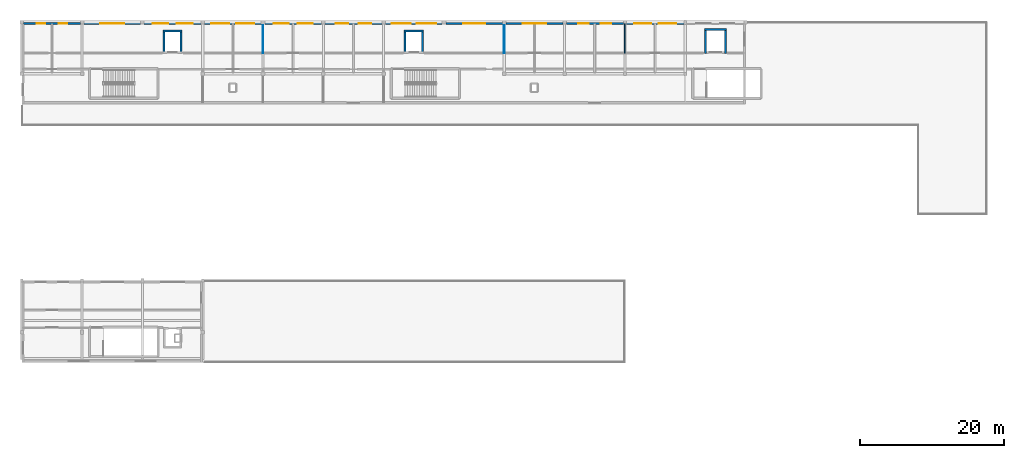
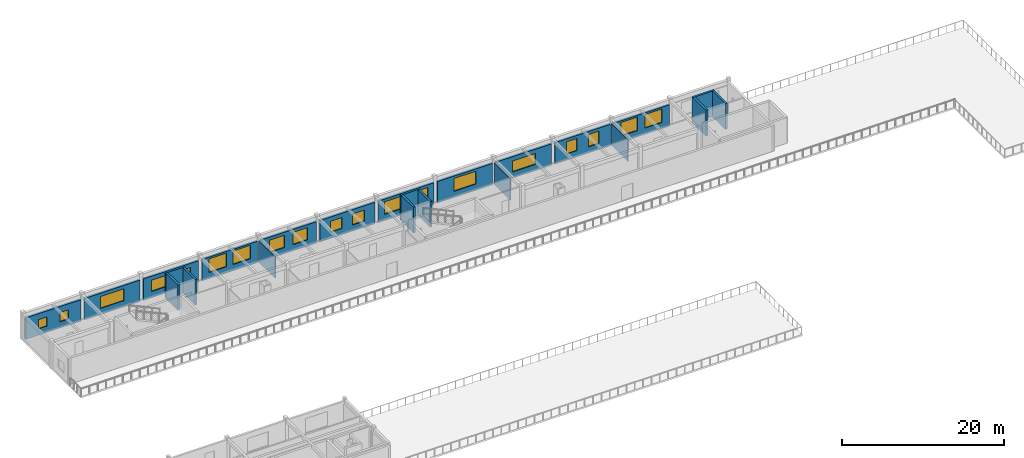
# One storey, part 8 of 14: 23 walls, 19 windows, 19 openings.
"""IFC4 building model written with IfcOpenShell, lengths in metres."""

from ifc_helpers import new_model, si_unit, direction, frame, frame_2d, origin, place, context, subcontext, project, spatial, rectangle, extrude, material, layer, layer_set, type_object, element, fill, save


model = new_model("IFC4")

# Units and contexts
model_context = context("Model", 3, precision=1e-05, world=origin(), true_north=direction((0.0, 1.0)))
body_context = subcontext(model_context, "Body", "Model", "MODEL_VIEW")
ifc_project = project(units=[si_unit("LENGTHUNIT", "METRE"), si_unit("AREAUNIT", "SQUARE_METRE"), si_unit("VOLUMEUNIT", "CUBIC_METRE"), si_unit("PLANEANGLEUNIT", "RADIAN"), si_unit("MASSUNIT", "GRAM", prefix="KILO")], contexts=[model_context])

# Site, building, storey
site_placement = place(None, origin())
site = spatial("IfcSite", under=ifc_project, at=site_placement, CompositionType="ELEMENT")
building_placement = place(site_placement, origin())
building = spatial("IfcBuilding", under=site, at=building_placement, Name="Malvenik Polytechnic", CompositionType="ELEMENT")
storey_placement = place(building_placement, frame((0.0, 0.0, 21.89990234375)))
storey = spatial("IfcBuildingStorey", under=building, at=storey_placement, Name="L05", CompositionType="ELEMENT", Elevation=21.89990234375)

# Walls
ifc_material_1 = material(Name="Concrete C35/45", Category="concrete")
ifc_layer_1 = layer(ifc_material_1, 0.280029296875)
ifc_layer_set_1 = layer_set([ifc_layer_1], Name="Concrete C35/45")
wall_type_1 = type_object("IfcWallType", Name="ARC-CW-S280", PredefinedType="SHEAR", material=ifc_layer_set_1)
wall_1_placement = place(storey_placement, frame((19.659912109375, 128.35009765625, 0.0), z_axis=(0.0, 0.0, 1.0), x_axis=(1.0, 0.0, 0.0)))
element("IfcWall", 1, at=wall_1_placement, inside=storey, type_object=wall_type_1, Name="Lift Shaft Shear Wall LS-01 L05 +Y", PredefinedType="SHEAR", context=body_context, shape_type="SweptSolid", body=[
    extrude(rectangle(XDim=2.68017578125, YDim=0.280029296875, at=frame_2d((1.340087890625, 0.0))), origin(), (0.0, 0.0, 1.0), 3.880126953125),
])
for number, where, z_axis, x_axis, name in (
    (2, (19.800048828125, 125.2099609375, 0.0), (0.0, 0.0, 1.0), (0.0, 1.0, 0.0), "Lift Shaft Shear Wall LS-01 L05 -X"),
    (3, (22.199951171875, 128.489990234375, 0.0), (0.0, 0.0, 1.0), (0.0, -1.0, 0.0), "Lift Shaft Shear Wall LS-01 L05 +X"),
):
    element("IfcWall", number, at=place(storey_placement, frame(where, z_axis=z_axis, x_axis=x_axis)), inside=storey, type_object=wall_type_1, Name=name, PredefinedType="SHEAR", context=body_context, shape_type="SweptSolid", body=[
        extrude(rectangle(XDim=3.280029296875, YDim=0.280029296875, at=frame_2d((1.64013671875, 0.0))), origin(), (0.0, 0.0, 1.0), 3.880126953125),
    ])
wall_2_placement = place(storey_placement, frame((53.260009765625, 128.35009765625, 0.0), z_axis=(0.0, 0.0, 1.0), x_axis=(1.0, 0.0, 0.0)))
element("IfcWall", 4, at=wall_2_placement, inside=storey, type_object=wall_type_1, Name="Lift Shaft Shear Wall LS-02 L05 +Y", PredefinedType="SHEAR", context=body_context, shape_type="SweptSolid", body=[
    extrude(rectangle(XDim=2.679931640625, YDim=0.280029296875, at=frame_2d((1.33984375, 0.0))), origin(), (0.0, 0.0, 1.0), 3.880126953125),
])
for number, where, z_axis, x_axis, name in (
    (5, (53.39990234375, 125.2099609375, 0.0), (0.0, 0.0, 1.0), (0.0, 1.0, 0.0), "Lift Shaft Shear Wall LS-02 L05 -X"),
    (6, (55.800048828125, 128.489990234375, 0.0), (0.0, 0.0, 1.0), (0.0, -1.0, 0.0), "Lift Shaft Shear Wall LS-02 L05 +X"),
):
    element("IfcWall", number, at=place(storey_placement, frame(where, z_axis=z_axis, x_axis=x_axis)), inside=storey, type_object=wall_type_1, Name=name, PredefinedType="SHEAR", context=body_context, shape_type="SweptSolid", body=[
        extrude(rectangle(XDim=3.280029296875, YDim=0.280029296875, at=frame_2d((1.64013671875, 0.0))), origin(), (0.0, 0.0, 1.0), 3.880126953125),
    ])
wall_3_placement = place(storey_placement, frame((95.06005859375, 128.550048828125, 0.0), z_axis=(0.0, 0.0, 1.0), x_axis=(1.0, 0.0, 0.0)))
element("IfcWall", 7, at=wall_3_placement, inside=storey, type_object=wall_type_1, Name="Lift Shaft Shear Wall LG-01 L05 +Y", PredefinedType="SHEAR", context=body_context, shape_type="SweptSolid", body=[
    extrude(rectangle(XDim=3.079833984375, YDim=0.280029296875, at=frame_2d((1.5400390625, 0.0))), origin(), (0.0, 0.0, 1.0), 3.880126953125),
])
for number, where, z_axis, x_axis, name in (
    (8, (95.199951171875, 125.2099609375, 0.0), (0.0, 0.0, 1.0), (0.0, 1.0, 0.0), "Lift Shaft Shear Wall LG-01 L05 -X"),
    (9, (98.0, 128.68994140625, 0.0), (0.0, 0.0, 1.0), (0.0, -1.0, 0.0), "Lift Shaft Shear Wall LG-01 L05 +X"),
):
    element("IfcWall", number, at=place(storey_placement, frame(where, z_axis=z_axis, x_axis=x_axis)), inside=storey, type_object=wall_type_1, Name=name, PredefinedType="SHEAR", context=body_context, shape_type="SweptSolid", body=[
        extrude(rectangle(XDim=3.47998046875, YDim=0.280029296875, at=frame_2d((1.739990234375, 0.0))), origin(), (0.0, 0.0, 1.0), 3.880126953125),
    ])

# Wall, openings, windows
ifc_material_2 = material(Name="Brick masonry M15", Category="masonry")
ifc_layer_2 = layer(ifc_material_2, 0.2900390625)
ifc_layer_set_2 = layer_set([ifc_layer_2], Name="Brick masonry M15")
wall_type_2 = type_object("IfcWallType", Name="ARC-EW-290", PredefinedType="SOLIDWALL", material=ifc_layer_set_2)
wall_4_placement = place(storey_placement, frame((0.248046875, 129.429931640625, 0.0), z_axis=(0.0, 0.0, 1.0), x_axis=(1.0, 0.0, 0.0)))
wall_4 = element("IfcWall", 10, at=wall_4_placement, inside=storey, type_object=wall_type_2, Name="External Facade Wall EW-04 L05 #469", PredefinedType="SOLIDWALL", context=body_context, shape_type="SweptSolid", body=[
    extrude(rectangle(XDim=7.904052734375, YDim=0.2900390625, at=frame_2d((3.9521484375, 0.0))), origin(), (0.0, 0.0, 1.0), 3.25),
])
opening_1_placement = place(wall_4_placement, frame((1.834716796875, 0.0, 0.949951171875)))
opening_1 = element("IfcOpeningElement", 11, at=opening_1_placement, cuts=wall_4, Name="Opening W-16", PredefinedType="OPENING", context=body_context, shape_type="SweptSolid", body=[
    extrude(rectangle(XDim=1.199951171875, YDim=1.39990234375, at=frame_2d((0.60009765625, 0.699951171875))), frame((0.0, 0.155029296875, 0.0), z_axis=(0.0, -1.0, 0.0), x_axis=(1.0, 0.0, 0.0)), (0.0, 0.0, 1.0), 0.31005859375),
])
opening_2_placement = place(wall_4_placement, frame((4.869384765625, 0.0, 0.949951171875)))
opening_2 = element("IfcOpeningElement", 12, at=opening_2_placement, cuts=wall_4, Name="Opening W-16", PredefinedType="OPENING", context=body_context, shape_type="SweptSolid", body=[
    extrude(rectangle(XDim=1.199951171875, YDim=1.39990234375, at=frame_2d((0.60009765625, 0.699951171875))), frame((0.0, 0.155029296875, 0.0), z_axis=(0.0, -1.0, 0.0), x_axis=(1.0, 0.0, 0.0)), (0.0, 0.0, 1.0), 0.31005859375),
])
ifc_material_3 = material(Name="Thermally broken aluminium frame with low-E double glazing", Category="aluminium")
window_type_1 = type_object("IfcWindowType", Name="ARC-WIN-W-16", PartitioningType="SINGLE_PANEL", PredefinedType="WINDOW", material=ifc_material_3)
window_1_placement = place(opening_1_placement, origin())
window_1 = element("IfcWindow", 13, at=window_1_placement, inside=storey, type_object=window_type_1, Name="Punched Window W-16 L05 #497", OverallHeight=1.39990234375, OverallWidth=1.199951171875, PartitioningType="SINGLE_PANEL", PredefinedType="WINDOW", context=body_context, shape_type="SweptSolid", body=[
    extrude(rectangle(XDim=1.199951171875, YDim=1.39990234375, at=frame_2d((0.60009765625, 0.699951171875))), frame((0.0, 0.030029296875, 0.0), z_axis=(0.0, -1.0, 0.0), x_axis=(1.0, 0.0, 0.0)), (0.0, 0.0, 1.0), 0.06005859375),
])
fill(opening_1, window_1)
window_2_placement = place(opening_2_placement, origin())
window_2 = element("IfcWindow", 14, at=window_2_placement, inside=storey, type_object=window_type_1, Name="Punched Window W-16 L05 #498", OverallHeight=1.39990234375, OverallWidth=1.199951171875, PartitioningType="SINGLE_PANEL", PredefinedType="WINDOW", context=body_context, shape_type="SweptSolid", body=[
    extrude(rectangle(XDim=1.199951171875, YDim=1.39990234375, at=frame_2d((0.60009765625, 0.699951171875))), frame((0.0, 0.030029296875, 0.0), z_axis=(0.0, -1.0, 0.0), x_axis=(1.0, 0.0, 0.0)), (0.0, 0.0, 1.0), 0.06005859375),
])
fill(opening_2, window_2)

# Wall, opening, window
wall_5_placement = place(storey_placement, frame((8.64794921875, 129.429931640625, 0.0), z_axis=(0.0, 0.0, 1.0), x_axis=(1.0, 0.0, 0.0)))
wall_5 = element("IfcWall", 15, at=wall_5_placement, inside=storey, type_object=wall_type_2, Name="External Facade Wall EW-04 L05 #470", PredefinedType="SOLIDWALL", context=body_context, shape_type="SweptSolid", body=[
    extrude(rectangle(XDim=7.904052734375, YDim=0.2900390625, at=frame_2d((3.9521484375, 0.0))), origin(), (0.0, 0.0, 1.0), 3.25),
])
opening_3_placement = place(wall_5_placement, frame((2.251953125, 0.0, 0.949951171875)))
opening_3 = element("IfcOpeningElement", 16, at=opening_3_placement, cuts=wall_5, Name="Opening W-18", PredefinedType="OPENING", context=body_context, shape_type="SweptSolid", body=[
    extrude(rectangle(XDim=3.39990234375, YDim=1.800048828125, at=frame_2d((1.699951171875, 0.89990234375))), frame((0.0, 0.155029296875, 0.0), z_axis=(0.0, -1.0, 0.0), x_axis=(1.0, 0.0, 0.0)), (0.0, 0.0, 1.0), 0.31005859375),
])
window_type_2 = type_object("IfcWindowType", Name="ARC-WIN-W-18", PartitioningType="SINGLE_PANEL", PredefinedType="WINDOW", material=ifc_material_3)
window_3_placement = place(opening_3_placement, origin())
window_3 = element("IfcWindow", 17, at=window_3_placement, inside=storey, type_object=window_type_2, Name="Punched Window W-18 L05 #499", OverallHeight=1.800048828125, OverallWidth=3.39990234375, PartitioningType="SINGLE_PANEL", PredefinedType="WINDOW", context=body_context, shape_type="SweptSolid", body=[
    extrude(rectangle(XDim=3.39990234375, YDim=1.800048828125, at=frame_2d((1.699951171875, 0.89990234375))), frame((0.0, 0.030029296875, 0.0), z_axis=(0.0, -1.0, 0.0), x_axis=(1.0, 0.0, 0.0)), (0.0, 0.0, 1.0), 0.06005859375),
])
fill(opening_3, window_3)

# Wall, openings, windows
wall_6_placement = place(storey_placement, frame((17.048095703125, 129.429931640625, 0.0), z_axis=(0.0, 0.0, 1.0), x_axis=(1.0, 0.0, 0.0)))
wall_6 = element("IfcWall", 18, at=wall_6_placement, inside=storey, type_object=wall_type_2, Name="External Facade Wall EW-04 L05 #471", PredefinedType="SOLIDWALL", context=body_context, shape_type="SweptSolid", body=[
    extrude(rectangle(XDim=7.90380859375, YDim=0.2900390625, at=frame_2d((3.951904296875, 0.0))), origin(), (0.0, 0.0, 1.0), 3.25),
])
opening_4_placement = place(wall_6_placement, frame((1.16796875, 0.0, 0.949951171875)))
opening_4 = element("IfcOpeningElement", 19, at=opening_4_placement, cuts=wall_6, Name="Opening W-19", PredefinedType="OPENING", context=body_context, shape_type="SweptSolid", body=[
    extrude(rectangle(XDim=2.199951171875, YDim=1.699951171875, at=frame_2d((1.10009765625, 0.85009765625))), frame((0.0, 0.155029296875, 0.0), z_axis=(0.0, -1.0, 0.0), x_axis=(1.0, 0.0, 0.0)), (0.0, 0.0, 1.0), 0.31005859375),
])
opening_5_placement = place(wall_6_placement, frame((4.535888671875, 0.0, 0.949951171875)))
opening_5 = element("IfcOpeningElement", 20, at=opening_5_placement, cuts=wall_6, Name="Opening W-19", PredefinedType="OPENING", context=body_context, shape_type="SweptSolid", body=[
    extrude(rectangle(XDim=2.199951171875, YDim=1.699951171875, at=frame_2d((1.10009765625, 0.85009765625))), frame((0.0, 0.155029296875, 0.0), z_axis=(0.0, -1.0, 0.0), x_axis=(1.0, 0.0, 0.0)), (0.0, 0.0, 1.0), 0.31005859375),
])
window_type_3 = type_object("IfcWindowType", Name="ARC-WIN-W-19", PartitioningType="SINGLE_PANEL", PredefinedType="WINDOW", material=ifc_material_3)
window_4_placement = place(opening_4_placement, origin())
window_4 = element("IfcWindow", 21, at=window_4_placement, inside=storey, type_object=window_type_3, Name="Punched Window W-19 L05 #500", OverallHeight=1.699951171875, OverallWidth=2.199951171875, PartitioningType="SINGLE_PANEL", PredefinedType="WINDOW", context=body_context, shape_type="SweptSolid", body=[
    extrude(rectangle(XDim=2.199951171875, YDim=1.699951171875, at=frame_2d((1.10009765625, 0.85009765625))), frame((0.0, 0.030029296875, 0.0), z_axis=(0.0, -1.0, 0.0), x_axis=(1.0, 0.0, 0.0)), (0.0, 0.0, 1.0), 0.06005859375),
])
fill(opening_4, window_4)
window_5_placement = place(opening_5_placement, origin())
window_5 = element("IfcWindow", 22, at=window_5_placement, inside=storey, type_object=window_type_3, Name="Punched Window W-19 L05 #501", OverallHeight=1.699951171875, OverallWidth=2.199951171875, PartitioningType="SINGLE_PANEL", PredefinedType="WINDOW", context=body_context, shape_type="SweptSolid", body=[
    extrude(rectangle(XDim=2.199951171875, YDim=1.699951171875, at=frame_2d((1.10009765625, 0.85009765625))), frame((0.0, 0.030029296875, 0.0), z_axis=(0.0, -1.0, 0.0), x_axis=(1.0, 0.0, 0.0)), (0.0, 0.0, 1.0), 0.06005859375),
])
fill(opening_5, window_5)

wall_7_placement = place(storey_placement, frame((25.447998046875, 129.429931640625, 0.0), z_axis=(0.0, 0.0, 1.0), x_axis=(1.0, 0.0, 0.0)))
wall_7 = element("IfcWall", 23, at=wall_7_placement, inside=storey, type_object=wall_type_2, Name="External Facade Wall EW-04 L05 #472", PredefinedType="SOLIDWALL", context=body_context, shape_type="SweptSolid", body=[
    extrude(rectangle(XDim=7.904052734375, YDim=0.2900390625, at=frame_2d((3.9521484375, 0.0))), origin(), (0.0, 0.0, 1.0), 3.25),
])
opening_6_placement = place(wall_7_placement, frame((0.968017578125, 0.0, 0.949951171875)))
opening_6 = element("IfcOpeningElement", 24, at=opening_6_placement, cuts=wall_7, Name="Opening W-21", PredefinedType="OPENING", context=body_context, shape_type="SweptSolid", body=[
    extrude(rectangle(XDim=2.5, YDim=2.050048828125, at=frame_2d((1.25, 1.02490234375))), frame((0.0, 0.155029296875, 0.0), z_axis=(0.0, -1.0, 0.0), x_axis=(1.0, 0.0, 0.0)), (0.0, 0.0, 1.0), 0.31005859375),
])
opening_7_placement = place(wall_7_placement, frame((4.43603515625, 0.0, 0.949951171875)))
opening_7 = element("IfcOpeningElement", 25, at=opening_7_placement, cuts=wall_7, Name="Opening W-21", PredefinedType="OPENING", context=body_context, shape_type="SweptSolid", body=[
    extrude(rectangle(XDim=2.5, YDim=2.050048828125, at=frame_2d((1.25, 1.02490234375))), frame((0.0, 0.155029296875, 0.0), z_axis=(0.0, -1.0, 0.0), x_axis=(1.0, 0.0, 0.0)), (0.0, 0.0, 1.0), 0.31005859375),
])
window_type_4 = type_object("IfcWindowType", Name="ARC-WIN-W-21", PartitioningType="SINGLE_PANEL", PredefinedType="WINDOW", material=ifc_material_3)
window_6_placement = place(opening_6_placement, origin())
window_6 = element("IfcWindow", 26, at=window_6_placement, inside=storey, type_object=window_type_4, Name="Punched Window W-21 L05 #502", OverallHeight=2.050048828125, OverallWidth=2.5, PartitioningType="SINGLE_PANEL", PredefinedType="WINDOW", context=body_context, shape_type="SweptSolid", body=[
    extrude(rectangle(XDim=2.5, YDim=2.050048828125, at=frame_2d((1.25, 1.02490234375))), frame((0.0, 0.030029296875, 0.0), z_axis=(0.0, -1.0, 0.0), x_axis=(1.0, 0.0, 0.0)), (0.0, 0.0, 1.0), 0.06005859375),
])
fill(opening_6, window_6)
window_7_placement = place(opening_7_placement, origin())
window_7 = element("IfcWindow", 27, at=window_7_placement, inside=storey, type_object=window_type_4, Name="Punched Window W-21 L05 #503", OverallHeight=2.050048828125, OverallWidth=2.5, PartitioningType="SINGLE_PANEL", PredefinedType="WINDOW", context=body_context, shape_type="SweptSolid", body=[
    extrude(rectangle(XDim=2.5, YDim=2.050048828125, at=frame_2d((1.25, 1.02490234375))), frame((0.0, 0.030029296875, 0.0), z_axis=(0.0, -1.0, 0.0), x_axis=(1.0, 0.0, 0.0)), (0.0, 0.0, 1.0), 0.06005859375),
])
fill(opening_7, window_7)

wall_8_placement = place(storey_placement, frame((33.847900390625, 129.429931640625, 0.0), z_axis=(0.0, 0.0, 1.0), x_axis=(1.0, 0.0, 0.0)))
wall_8 = element("IfcWall", 28, at=wall_8_placement, inside=storey, type_object=wall_type_2, Name="External Facade Wall EW-04 L05 #473", PredefinedType="SOLIDWALL", context=body_context, shape_type="SweptSolid", body=[
    extrude(rectangle(XDim=7.904052734375, YDim=0.2900390625, at=frame_2d((3.9521484375, 0.0))), origin(), (0.0, 0.0, 1.0), 3.25),
])
opening_8_placement = place(wall_8_placement, frame((1.234619140625, 0.0, 0.949951171875)))
opening_8 = element("IfcOpeningElement", 29, at=opening_8_placement, cuts=wall_8, Name="Opening W-23", PredefinedType="OPENING", context=body_context, shape_type="SweptSolid", body=[
    extrude(rectangle(XDim=2.10009765625, YDim=1.85009765625, at=frame_2d((1.050048828125, 0.925048828125))), frame((0.0, 0.155029296875, 0.0), z_axis=(0.0, -1.0, 0.0), x_axis=(1.0, 0.0, 0.0)), (0.0, 0.0, 1.0), 0.31005859375),
])
opening_9_placement = place(wall_8_placement, frame((4.5693359375, 0.0, 0.949951171875)))
opening_9 = element("IfcOpeningElement", 30, at=opening_9_placement, cuts=wall_8, Name="Opening W-23", PredefinedType="OPENING", context=body_context, shape_type="SweptSolid", body=[
    extrude(rectangle(XDim=2.10009765625, YDim=1.85009765625, at=frame_2d((1.050048828125, 0.925048828125))), frame((0.0, 0.155029296875, 0.0), z_axis=(0.0, -1.0, 0.0), x_axis=(1.0, 0.0, 0.0)), (0.0, 0.0, 1.0), 0.31005859375),
])
window_type_5 = type_object("IfcWindowType", Name="ARC-WIN-W-23", PartitioningType="SINGLE_PANEL", PredefinedType="WINDOW", material=ifc_material_3)
window_8_placement = place(opening_8_placement, origin())
window_8 = element("IfcWindow", 31, at=window_8_placement, inside=storey, type_object=window_type_5, Name="Punched Window W-23 L05 #504", OverallHeight=1.85009765625, OverallWidth=2.10009765625, PartitioningType="SINGLE_PANEL", PredefinedType="WINDOW", context=body_context, shape_type="SweptSolid", body=[
    extrude(rectangle(XDim=2.10009765625, YDim=1.85009765625, at=frame_2d((1.050048828125, 0.925048828125))), frame((0.0, 0.030029296875, 0.0), z_axis=(0.0, -1.0, 0.0), x_axis=(1.0, 0.0, 0.0)), (0.0, 0.0, 1.0), 0.06005859375),
])
fill(opening_8, window_8)
window_9_placement = place(opening_9_placement, origin())
window_9 = element("IfcWindow", 32, at=window_9_placement, inside=storey, type_object=window_type_5, Name="Punched Window W-23 L05 #505", OverallHeight=1.85009765625, OverallWidth=2.10009765625, PartitioningType="SINGLE_PANEL", PredefinedType="WINDOW", context=body_context, shape_type="SweptSolid", body=[
    extrude(rectangle(XDim=2.10009765625, YDim=1.85009765625, at=frame_2d((1.050048828125, 0.925048828125))), frame((0.0, 0.030029296875, 0.0), z_axis=(0.0, -1.0, 0.0), x_axis=(1.0, 0.0, 0.0)), (0.0, 0.0, 1.0), 0.06005859375),
])
fill(opening_9, window_9)

wall_9_placement = place(storey_placement, frame((42.248046875, 129.429931640625, 0.0), z_axis=(0.0, 0.0, 1.0), x_axis=(1.0, 0.0, 0.0)))
wall_9 = element("IfcWall", 33, at=wall_9_placement, inside=storey, type_object=wall_type_2, Name="External Facade Wall EW-04 L05 #474", PredefinedType="SOLIDWALL", context=body_context, shape_type="SweptSolid", body=[
    extrude(rectangle(XDim=7.904052734375, YDim=0.2900390625, at=frame_2d((3.9521484375, 0.0))), origin(), (0.0, 0.0, 1.0), 3.25),
])
opening_10_placement = place(wall_9_placement, frame((1.501220703125, 0.0, 0.949951171875)))
opening_10 = element("IfcOpeningElement", 34, at=opening_10_placement, cuts=wall_9, Name="Opening W-25", PredefinedType="OPENING", context=body_context, shape_type="SweptSolid", body=[
    extrude(rectangle(XDim=1.699951171875, YDim=1.64990234375, at=frame_2d((0.85009765625, 0.824951171875))), frame((0.0, 0.155029296875, 0.0), z_axis=(0.0, -1.0, 0.0), x_axis=(1.0, 0.0, 0.0)), (0.0, 0.0, 1.0), 0.31005859375),
])
opening_11_placement = place(wall_9_placement, frame((4.70263671875, 0.0, 0.949951171875)))
opening_11 = element("IfcOpeningElement", 35, at=opening_11_placement, cuts=wall_9, Name="Opening W-25", PredefinedType="OPENING", context=body_context, shape_type="SweptSolid", body=[
    extrude(rectangle(XDim=1.699951171875, YDim=1.64990234375, at=frame_2d((0.85009765625, 0.824951171875))), frame((0.0, 0.155029296875, 0.0), z_axis=(0.0, -1.0, 0.0), x_axis=(1.0, 0.0, 0.0)), (0.0, 0.0, 1.0), 0.31005859375),
])
window_type_6 = type_object("IfcWindowType", Name="ARC-WIN-W-25", PartitioningType="SINGLE_PANEL", PredefinedType="WINDOW", material=ifc_material_3)
window_10_placement = place(opening_10_placement, origin())
window_10 = element("IfcWindow", 36, at=window_10_placement, inside=storey, type_object=window_type_6, Name="Punched Window W-25 L05 #506", OverallHeight=1.64990234375, OverallWidth=1.699951171875, PartitioningType="SINGLE_PANEL", PredefinedType="WINDOW", context=body_context, shape_type="SweptSolid", body=[
    extrude(rectangle(XDim=1.699951171875, YDim=1.64990234375, at=frame_2d((0.85009765625, 0.824951171875))), frame((0.0, 0.030029296875, 0.0), z_axis=(0.0, -1.0, 0.0), x_axis=(1.0, 0.0, 0.0)), (0.0, 0.0, 1.0), 0.06005859375),
])
fill(opening_10, window_10)
window_11_placement = place(opening_11_placement, origin())
window_11 = element("IfcWindow", 37, at=window_11_placement, inside=storey, type_object=window_type_6, Name="Punched Window W-25 L05 #507", OverallHeight=1.64990234375, OverallWidth=1.699951171875, PartitioningType="SINGLE_PANEL", PredefinedType="WINDOW", context=body_context, shape_type="SweptSolid", body=[
    extrude(rectangle(XDim=1.699951171875, YDim=1.64990234375, at=frame_2d((0.85009765625, 0.824951171875))), frame((0.0, 0.030029296875, 0.0), z_axis=(0.0, -1.0, 0.0), x_axis=(1.0, 0.0, 0.0)), (0.0, 0.0, 1.0), 0.06005859375),
])
fill(opening_11, window_11)

wall_10_placement = place(storey_placement, frame((50.64794921875, 129.429931640625, 0.0), z_axis=(0.0, 0.0, 1.0), x_axis=(1.0, 0.0, 0.0)))
wall_10 = element("IfcWall", 38, at=wall_10_placement, inside=storey, type_object=wall_type_2, Name="External Facade Wall EW-04 L05 #475", PredefinedType="SOLIDWALL", context=body_context, shape_type="SweptSolid", body=[
    extrude(rectangle(XDim=7.904052734375, YDim=0.2900390625, at=frame_2d((3.9521484375, 0.0))), origin(), (0.0, 0.0, 1.0), 3.25),
])
opening_12_placement = place(wall_10_placement, frame((0.85009765625, 0.0, 0.949951171875)))
opening_12 = element("IfcOpeningElement", 39, at=opening_12_placement, cuts=wall_10, Name="Opening W-27", PredefinedType="OPENING", context=body_context, shape_type="SweptSolid", body=[
    extrude(rectangle(XDim=2.699951171875, YDim=1.89990234375, at=frame_2d((1.35009765625, 0.949951171875))), frame((0.0, 0.155029296875, 0.0), z_axis=(0.0, -1.0, 0.0), x_axis=(1.0, 0.0, 0.0)), (0.0, 0.0, 1.0), 0.31005859375),
])
opening_13_placement = place(wall_10_placement, frame((4.35400390625, 0.0, 0.949951171875)))
opening_13 = element("IfcOpeningElement", 40, at=opening_13_placement, cuts=wall_10, Name="Opening W-27", PredefinedType="OPENING", context=body_context, shape_type="SweptSolid", body=[
    extrude(rectangle(XDim=2.699951171875, YDim=1.89990234375, at=frame_2d((1.35009765625, 0.949951171875))), frame((0.0, 0.155029296875, 0.0), z_axis=(0.0, -1.0, 0.0), x_axis=(1.0, 0.0, 0.0)), (0.0, 0.0, 1.0), 0.31005859375),
])
window_type_7 = type_object("IfcWindowType", Name="ARC-WIN-W-27", PartitioningType="SINGLE_PANEL", PredefinedType="WINDOW", material=ifc_material_3)
window_12_placement = place(opening_12_placement, origin())
window_12 = element("IfcWindow", 41, at=window_12_placement, inside=storey, type_object=window_type_7, Name="Punched Window W-27 L05 #508", OverallHeight=1.89990234375, OverallWidth=2.699951171875, PartitioningType="SINGLE_PANEL", PredefinedType="WINDOW", context=body_context, shape_type="SweptSolid", body=[
    extrude(rectangle(XDim=2.699951171875, YDim=1.89990234375, at=frame_2d((1.35009765625, 0.949951171875))), frame((0.0, 0.030029296875, 0.0), z_axis=(0.0, -1.0, 0.0), x_axis=(1.0, 0.0, 0.0)), (0.0, 0.0, 1.0), 0.06005859375),
])
fill(opening_12, window_12)
window_13_placement = place(opening_13_placement, origin())
window_13 = element("IfcWindow", 42, at=window_13_placement, inside=storey, type_object=window_type_7, Name="Punched Window W-27 L05 #509", OverallHeight=1.89990234375, OverallWidth=2.699951171875, PartitioningType="SINGLE_PANEL", PredefinedType="WINDOW", context=body_context, shape_type="SweptSolid", body=[
    extrude(rectangle(XDim=2.699951171875, YDim=1.89990234375, at=frame_2d((1.35009765625, 0.949951171875))), frame((0.0, 0.030029296875, 0.0), z_axis=(0.0, -1.0, 0.0), x_axis=(1.0, 0.0, 0.0)), (0.0, 0.0, 1.0), 0.06005859375),
])
fill(opening_13, window_13)

# Wall, opening, window
wall_11_placement = place(storey_placement, frame((59.048095703125, 129.429931640625, 0.0), z_axis=(0.0, 0.0, 1.0), x_axis=(1.0, 0.0, 0.0)))
wall_11 = element("IfcWall", 43, at=wall_11_placement, inside=storey, type_object=wall_type_2, Name="External Facade Wall EW-04 L05 #476", PredefinedType="SOLIDWALL", context=body_context, shape_type="SweptSolid", body=[
    extrude(rectangle(XDim=7.90380859375, YDim=0.2900390625, at=frame_2d((3.951904296875, 0.0))), origin(), (0.0, 0.0, 1.0), 3.25),
])
opening_14_placement = place(wall_11_placement, frame((2.402099609375, 0.0, 0.949951171875)))
opening_14 = element("IfcOpeningElement", 44, at=opening_14_placement, cuts=wall_11, Name="Opening W-29", PredefinedType="OPENING", context=body_context, shape_type="SweptSolid", body=[
    extrude(rectangle(XDim=3.10009765625, YDim=1.949951171875, at=frame_2d((1.550048828125, 0.97509765625))), frame((0.0, 0.155029296875, 0.0), z_axis=(0.0, -1.0, 0.0), x_axis=(1.0, 0.0, 0.0)), (0.0, 0.0, 1.0), 0.31005859375),
])
window_type_8 = type_object("IfcWindowType", Name="ARC-WIN-W-29", PartitioningType="SINGLE_PANEL", PredefinedType="WINDOW", material=ifc_material_3)
window_14_placement = place(opening_14_placement, origin())
window_14 = element("IfcWindow", 45, at=window_14_placement, inside=storey, type_object=window_type_8, Name="Punched Window W-29 L05 #510", OverallHeight=1.949951171875, OverallWidth=3.10009765625, PartitioningType="SINGLE_PANEL", PredefinedType="WINDOW", context=body_context, shape_type="SweptSolid", body=[
    extrude(rectangle(XDim=3.10009765625, YDim=1.949951171875, at=frame_2d((1.550048828125, 0.97509765625))), frame((0.0, 0.030029296875, 0.0), z_axis=(0.0, -1.0, 0.0), x_axis=(1.0, 0.0, 0.0)), (0.0, 0.0, 1.0), 0.06005859375),
])
fill(opening_14, window_14)

wall_12_placement = place(storey_placement, frame((67.447998046875, 129.429931640625, 0.0), z_axis=(0.0, 0.0, 1.0), x_axis=(1.0, 0.0, 0.0)))
wall_12 = element("IfcWall", 46, at=wall_12_placement, inside=storey, type_object=wall_type_2, Name="External Facade Wall EW-04 L05 #477", PredefinedType="SOLIDWALL", context=body_context, shape_type="SweptSolid", body=[
    extrude(rectangle(XDim=7.904052734375, YDim=0.2900390625, at=frame_2d((3.9521484375, 0.0))), origin(), (0.0, 0.0, 1.0), 3.25),
])
opening_15_placement = place(wall_12_placement, frame((2.302001953125, 0.0, 0.949951171875)))
opening_15 = element("IfcOpeningElement", 47, at=opening_15_placement, cuts=wall_12, Name="Opening W-30", PredefinedType="OPENING", context=body_context, shape_type="SweptSolid", body=[
    extrude(rectangle(XDim=3.300048828125, YDim=1.64990234375, at=frame_2d((1.64990234375, 0.824951171875))), frame((0.0, 0.155029296875, 0.0), z_axis=(0.0, -1.0, 0.0), x_axis=(1.0, 0.0, 0.0)), (0.0, 0.0, 1.0), 0.31005859375),
])
window_type_9 = type_object("IfcWindowType", Name="ARC-WIN-W-30", PartitioningType="SINGLE_PANEL", PredefinedType="WINDOW", material=ifc_material_3)
window_15_placement = place(opening_15_placement, origin())
window_15 = element("IfcWindow", 48, at=window_15_placement, inside=storey, type_object=window_type_9, Name="Punched Window W-30 L05 #511", OverallHeight=1.64990234375, OverallWidth=3.300048828125, PartitioningType="SINGLE_PANEL", PredefinedType="WINDOW", context=body_context, shape_type="SweptSolid", body=[
    extrude(rectangle(XDim=3.300048828125, YDim=1.64990234375, at=frame_2d((1.64990234375, 0.824951171875))), frame((0.0, 0.030029296875, 0.0), z_axis=(0.0, -1.0, 0.0), x_axis=(1.0, 0.0, 0.0)), (0.0, 0.0, 1.0), 0.06005859375),
])
fill(opening_15, window_15)

# Wall, openings, windows
wall_13_placement = place(storey_placement, frame((75.847900390625, 129.429931640625, 0.0), z_axis=(0.0, 0.0, 1.0), x_axis=(1.0, 0.0, 0.0)))
wall_13 = element("IfcWall", 49, at=wall_13_placement, inside=storey, type_object=wall_type_2, Name="External Facade Wall EW-04 L05 #478", PredefinedType="SOLIDWALL", context=body_context, shape_type="SweptSolid", body=[
    extrude(rectangle(XDim=7.9541015625, YDim=0.2900390625, at=frame_2d((3.97705078125, 0.0))), origin(), (0.0, 0.0, 1.0), 3.25),
])
opening_16_placement = place(wall_13_placement, frame((1.684814453125, 0.0, 0.949951171875)))
opening_16 = element("IfcOpeningElement", 50, at=opening_16_placement, cuts=wall_13, Name="Opening W-31", PredefinedType="OPENING", context=body_context, shape_type="SweptSolid", body=[
    extrude(rectangle(XDim=1.449951171875, YDim=1.85009765625, at=frame_2d((0.72509765625, 0.925048828125))), frame((0.0, 0.155029296875, 0.0), z_axis=(0.0, -1.0, 0.0), x_axis=(1.0, 0.0, 0.0)), (0.0, 0.0, 1.0), 0.31005859375),
])
opening_17_placement = place(wall_13_placement, frame((4.8193359375, 0.0, 0.949951171875)))
opening_17 = element("IfcOpeningElement", 51, at=opening_17_placement, cuts=wall_13, Name="Opening W-31", PredefinedType="OPENING", context=body_context, shape_type="SweptSolid", body=[
    extrude(rectangle(XDim=1.449951171875, YDim=1.85009765625, at=frame_2d((0.72509765625, 0.925048828125))), frame((0.0, 0.155029296875, 0.0), z_axis=(0.0, -1.0, 0.0), x_axis=(1.0, 0.0, 0.0)), (0.0, 0.0, 1.0), 0.31005859375),
])
window_type_10 = type_object("IfcWindowType", Name="ARC-WIN-W-31", PartitioningType="SINGLE_PANEL", PredefinedType="WINDOW", material=ifc_material_3)
window_16_placement = place(opening_16_placement, origin())
window_16 = element("IfcWindow", 52, at=window_16_placement, inside=storey, type_object=window_type_10, Name="Punched Window W-31 L05 #512", OverallHeight=1.85009765625, OverallWidth=1.449951171875, PartitioningType="SINGLE_PANEL", PredefinedType="WINDOW", context=body_context, shape_type="SweptSolid", body=[
    extrude(rectangle(XDim=1.449951171875, YDim=1.85009765625, at=frame_2d((0.72509765625, 0.925048828125))), frame((0.0, 0.030029296875, 0.0), z_axis=(0.0, -1.0, 0.0), x_axis=(1.0, 0.0, 0.0)), (0.0, 0.0, 1.0), 0.06005859375),
])
fill(opening_16, window_16)
window_17_placement = place(opening_17_placement, origin())
window_17 = element("IfcWindow", 53, at=window_17_placement, inside=storey, type_object=window_type_10, Name="Punched Window W-31 L05 #513", OverallHeight=1.85009765625, OverallWidth=1.449951171875, PartitioningType="SINGLE_PANEL", PredefinedType="WINDOW", context=body_context, shape_type="SweptSolid", body=[
    extrude(rectangle(XDim=1.449951171875, YDim=1.85009765625, at=frame_2d((0.72509765625, 0.925048828125))), frame((0.0, 0.030029296875, 0.0), z_axis=(0.0, -1.0, 0.0), x_axis=(1.0, 0.0, 0.0)), (0.0, 0.0, 1.0), 0.06005859375),
])
fill(opening_17, window_17)

wall_14_placement = place(storey_placement, frame((84.197998046875, 129.429931640625, 0.0), z_axis=(0.0, 0.0, 1.0), x_axis=(1.0, 0.0, 0.0)))
wall_14 = element("IfcWall", 54, at=wall_14_placement, inside=storey, type_object=wall_type_2, Name="External Facade Wall EW-04 L05 #479", PredefinedType="SOLIDWALL", context=body_context, shape_type="SweptSolid", body=[
    extrude(rectangle(XDim=8.00390625, YDim=0.2900390625, at=frame_2d((4.001953125, 0.0))), origin(), (0.0, 0.0, 1.0), 3.25),
])
opening_18_placement = place(wall_14_placement, frame((1.068115234375, 0.0, 0.949951171875)))
opening_18 = element("IfcOpeningElement", 55, at=opening_18_placement, cuts=wall_14, Name="Opening W-01", PredefinedType="OPENING", context=body_context, shape_type="SweptSolid", body=[
    extrude(rectangle(XDim=2.39990234375, YDim=2.050048828125, at=frame_2d((1.199951171875, 1.02490234375))), frame((0.0, 0.155029296875, 0.0), z_axis=(0.0, -1.0, 0.0), x_axis=(1.0, 0.0, 0.0)), (0.0, 0.0, 1.0), 0.31005859375),
])
opening_19_placement = place(wall_14_placement, frame((4.535888671875, 0.0, 0.949951171875)))
opening_19 = element("IfcOpeningElement", 56, at=opening_19_placement, cuts=wall_14, Name="Opening W-01", PredefinedType="OPENING", context=body_context, shape_type="SweptSolid", body=[
    extrude(rectangle(XDim=2.39990234375, YDim=2.050048828125, at=frame_2d((1.199951171875, 1.02490234375))), frame((0.0, 0.155029296875, 0.0), z_axis=(0.0, -1.0, 0.0), x_axis=(1.0, 0.0, 0.0)), (0.0, 0.0, 1.0), 0.31005859375),
])
window_type_11 = type_object("IfcWindowType", Name="ARC-WIN-W-01", PartitioningType="SINGLE_PANEL", PredefinedType="WINDOW", material=ifc_material_3)
window_18_placement = place(opening_18_placement, origin())
window_18 = element("IfcWindow", 57, at=window_18_placement, inside=storey, type_object=window_type_11, Name="Punched Window W-01 L05 #514", OverallHeight=2.050048828125, OverallWidth=2.39990234375, PartitioningType="SINGLE_PANEL", PredefinedType="WINDOW", context=body_context, shape_type="SweptSolid", body=[
    extrude(rectangle(XDim=2.39990234375, YDim=2.050048828125, at=frame_2d((1.199951171875, 1.02490234375))), frame((0.0, 0.030029296875, 0.0), z_axis=(0.0, -1.0, 0.0), x_axis=(1.0, 0.0, 0.0)), (0.0, 0.0, 1.0), 0.06005859375),
])
fill(opening_18, window_18)
window_19_placement = place(opening_19_placement, origin())
window_19 = element("IfcWindow", 58, at=window_19_placement, inside=storey, type_object=window_type_11, Name="Punched Window W-01 L05 #515", OverallHeight=2.050048828125, OverallWidth=2.39990234375, PartitioningType="SINGLE_PANEL", PredefinedType="WINDOW", context=body_context, shape_type="SweptSolid", body=[
    extrude(rectangle(XDim=2.39990234375, YDim=2.050048828125, at=frame_2d((1.199951171875, 1.02490234375))), frame((0.0, 0.030029296875, 0.0), z_axis=(0.0, -1.0, 0.0), x_axis=(1.0, 0.0, 0.0)), (0.0, 0.0, 1.0), 0.06005859375),
])
fill(opening_19, window_19)

# Walls
ifc_material_4 = material(Name="Metal-stud gypsum board partition 125mm", Category="gypsum")
ifc_layer_3 = layer(ifc_material_4, 0.125)
ifc_layer_set_3 = layer_set([ifc_layer_3], Name="Metal-stud gypsum board partition 125mm")
wall_type_3 = type_object("IfcWallType", Name="ARC-PW-125", PredefinedType="PARTITIONING", material=ifc_layer_set_3)
for number, where, z_axis, x_axis, name in (
    (59, (33.60009765625, 125.300048828125, 0.0), (0.0, 0.0, 1.0), (0.0, 1.0, 0.0), "Interior Partition PW-03I L05 #391"),
    (60, (67.199951171875, 125.300048828125, 0.0), (0.0, 0.0, 1.0), (0.0, 1.0, 0.0), "Interior Partition PW-03I L05 #394"),
):
    element("IfcWall", number, at=place(storey_placement, frame(where, z_axis=z_axis, x_axis=x_axis)), inside=storey, type_object=wall_type_3, Name=name, PredefinedType="PARTITIONING", context=body_context, shape_type="SweptSolid", body=[
        extrude(rectangle(XDim=4.030029296875, YDim=0.125, at=frame_2d((2.01513671875, 0.0))), origin(), (0.0, 0.0, 1.0), 3.2451171875),
    ])
ifc_material_5 = material(Name="Acoustic metal-stud gypsum partition 140mm", Category="gypsum")
ifc_layer_4 = layer(ifc_material_5, 0.139892578125)
ifc_layer_set_4 = layer_set([ifc_layer_4], Name="Acoustic metal-stud gypsum partition 140mm")
wall_type_4 = type_object("IfcWallType", Name="ARC-PW-140", PredefinedType="PARTITIONING", material=ifc_layer_set_4)
wall_15_placement = place(storey_placement, frame((84.0, 125.300048828125, 0.0), z_axis=(0.0, 0.0, 1.0), x_axis=(0.0, 1.0, 0.0)))
element("IfcWall", 61, at=wall_15_placement, inside=storey, type_object=wall_type_4, Name="Interior Partition PW-02I L05 #396", PredefinedType="PARTITIONING", context=body_context, shape_type="SweptSolid", body=[
    extrude(rectangle(XDim=4.079833984375, YDim=0.139892578125, at=frame_2d((2.0400390625, 0.0))), origin(), (0.0, 0.0, 1.0), 3.2451171875),
])

save(model, "model.ifc")
